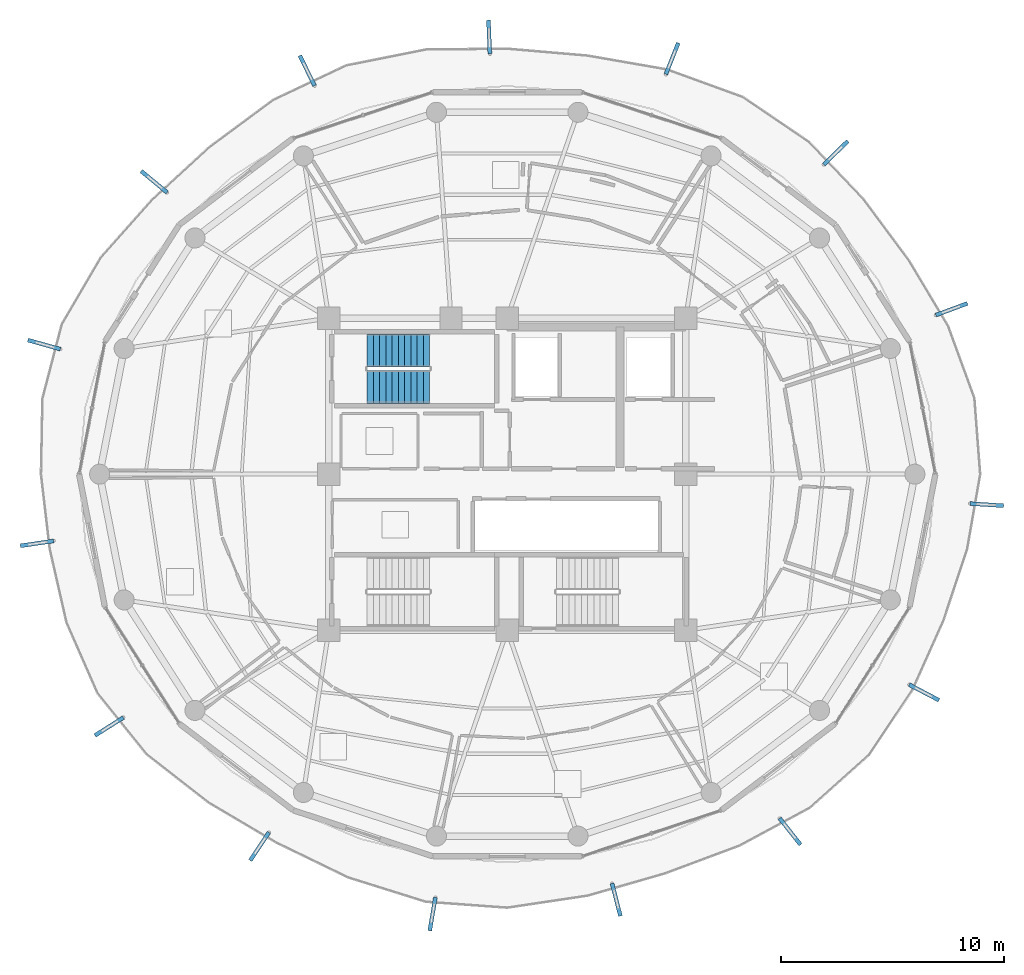
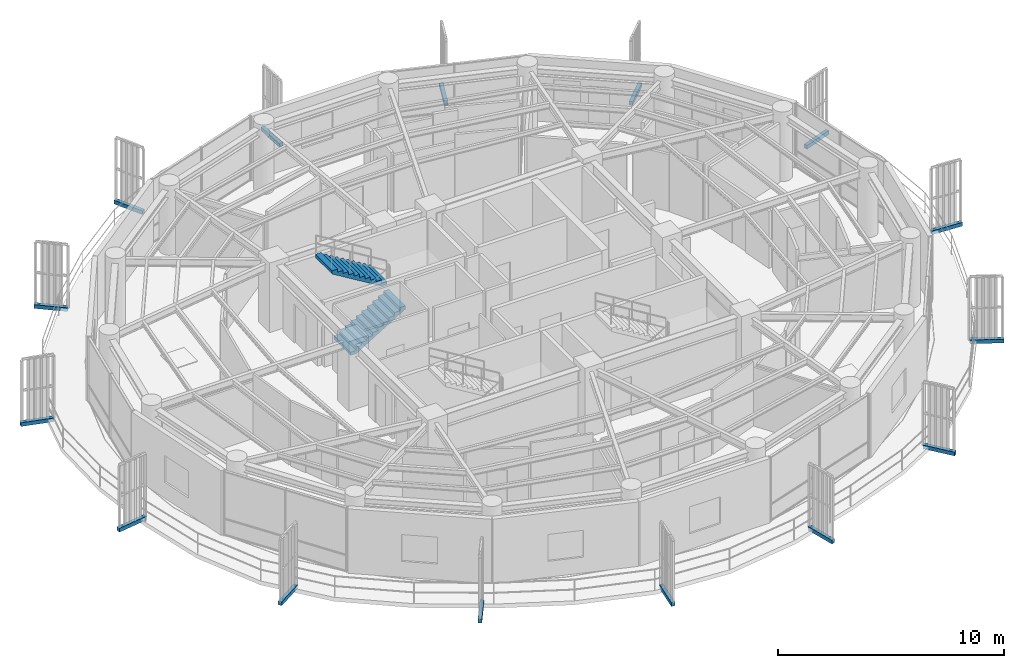
# One storey, part 18 of 22: 15 discrete accessories, 2 stair flights, 1 element without a shape of its own.
"""IFC4 building model written with IfcOpenShell, lengths in metres."""

from ifc_helpers import new_model, si_unit, direction, frame, origin, origin_2d, place, context, subcontext, project, spatial, polyline, rectangle, outline, extrude, source, transform, mapped, material, type_object, element, aggregate, save


model = new_model("IFC4")

# Units and contexts
model_context = context("Model", 3, precision=1e-05, world=origin(), true_north=direction((0.0, 1.0)))
body_context = subcontext(model_context, "Body", "Model", "MODEL_VIEW")
ifc_project = project(units=[si_unit("LENGTHUNIT", "METRE"), si_unit("AREAUNIT", "SQUARE_METRE"), si_unit("VOLUMEUNIT", "CUBIC_METRE"), si_unit("PLANEANGLEUNIT", "RADIAN"), si_unit("MASSUNIT", "GRAM", prefix="KILO")], contexts=[model_context])

# Site, building, storey
site_placement = place(None, origin())
site = spatial("IfcSite", under=ifc_project, at=site_placement, CompositionType="ELEMENT")
building_placement = place(site_placement, origin())
building = spatial("IfcBuilding", under=site, at=building_placement, Name="Kelanora Arch Commons", CompositionType="ELEMENT")
storey_placement = place(building_placement, frame((0.0, 0.0, 263.699951171875)))
storey = spatial("IfcBuildingStorey", under=building, at=storey_placement, Name="L67", CompositionType="ELEMENT", Elevation=263.699951171875)

# Stair, stair flights
ifc_material_1 = material(Name="Concrete C40/50", Category="concrete")
stair_type = type_object("IfcStairType", Name="STR-DL-375", PredefinedType="HALF_TURN_STAIR", material=ifc_material_1)
stair_placement = place(storey_placement, origin())
stair = element("IfcStair", 1, at=stair_placement, inside=storey, type_object=stair_type, Name="L67 ST-T1", PredefinedType="HALF_TURN_STAIR")
stair_flight_type = type_object("IfcStairFlightType", Name="FLT-DL-375", PredefinedType="STRAIGHT", material=ifc_material_1)
stair_flight_1_placement = place(storey_placement, frame((67.719970703125, 61.919921875, 0.0), z_axis=(0.0, 0.0, 1.0), x_axis=(1.0, 0.0, 0.0)))
stair_flight_1 = element("IfcStairFlight", 2, at=stair_flight_1_placement, type_object=stair_flight_type, Name="ST-T1 flight 1", NumberOfRisers=11, NumberOfTreads=10, PredefinedType="STRAIGHT", RiserHeight=0.170454545, TreadLength=0.28, context=body_context, shape_type="SweptSolid", body=[
    extrude(outline(polyline([(0.0, 0.0), (0.0, 0.17041015625), (0.280029296875, 0.17041015625), (0.280029296875, 0.3408203125), (0.56005859375, 0.3408203125), (0.56005859375, 0.511474609375), (0.840087890625, 0.511474609375), (0.840087890625, 0.681884765625), (1.1201171875, 0.681884765625), (1.1201171875, 0.852294921875), (1.39990234375, 0.852294921875), (1.39990234375, 1.022705078125), (1.679931640625, 1.022705078125), (1.679931640625, 1.193115234375), (1.9599609375, 1.193115234375), (1.9599609375, 1.363525390625), (2.239990234375, 1.363525390625), (2.239990234375, 1.5341796875), (2.52001953125, 1.5341796875), (2.52001953125, 1.70458984375), (2.800048828125, 1.70458984375), (2.800048828125, 1.875), (2.800048828125, 1.529052734375), (0.288330078125, 0.0), (0.0, 0.0)])), frame((0.0, 0.739990234375, 0.0), z_axis=(0.0, -1.0, 0.0), x_axis=(1.0, 0.0, 0.0)), (0.0, 0.0, 1.0), 1.47998046875),
])
stair_flight_2_placement = place(storey_placement, frame((70.52001953125, 63.550048828125, 1.875), z_axis=(0.0, 0.0, 1.0), x_axis=(-1.0, 0.0, 0.0)))
stair_flight_2 = element("IfcStairFlight", 3, at=stair_flight_2_placement, type_object=stair_flight_type, Name="ST-T1 flight 2", NumberOfRisers=11, NumberOfTreads=10, PredefinedType="STRAIGHT", RiserHeight=0.170454545, TreadLength=0.28, context=body_context, shape_type="SweptSolid", body=[
    extrude(outline(polyline([(0.0, 0.0), (0.0, 0.17041015625), (0.280029296875, 0.17041015625), (0.280029296875, 0.3408203125), (0.56005859375, 0.3408203125), (0.56005859375, 0.511474609375), (0.840087890625, 0.511474609375), (0.840087890625, 0.681884765625), (1.1201171875, 0.681884765625), (1.1201171875, 0.852294921875), (1.39990234375, 0.852294921875), (1.39990234375, 1.022705078125), (1.679931640625, 1.022705078125), (1.679931640625, 1.193115234375), (1.9599609375, 1.193115234375), (1.9599609375, 1.363525390625), (2.239990234375, 1.363525390625), (2.239990234375, 1.5341796875), (2.52001953125, 1.5341796875), (2.52001953125, 1.70458984375), (2.800048828125, 1.70458984375), (2.800048828125, 1.875), (2.800048828125, 1.529052734375), (0.288330078125, 0.0), (0.0, 0.0)])), frame((0.0, 0.739990234375, 0.0), z_axis=(0.0, -1.0, 0.0), x_axis=(1.0, 0.0, 0.0)), (0.0, 0.0, 1.0), 1.47998046875),
])
aggregate(stair, [stair_flight_1, stair_flight_2])

# Discrete accessories
ifc_material_2 = material(Name="Stainless steel 316 marine fin bracket", Category="steel")
discrete_accessory_type = type_object("IfcDiscreteAccessoryType", Name="ACC-FIN-BRK", PredefinedType="BRACKET", material=ifc_material_2)
shared_shape = source(origin(), body_context, "Body", "SweptSolid", [
    extrude(rectangle(XDim=1.506591796875, YDim=0.179931640625, at=origin_2d()), origin(), (0.0, 0.0, 1.0), 0.199951171875),
])
for number, where, z_axis, x_axis, name in (
    (4, (92.693115234375, 48.213623046875, -0.16015625), (0.0, 0.0, 1.0), (0.885960876527, -0.4637599867, 0.0), "Sweeping Fin Cantilever Spine Bracket L67-00"),
    (5, (95.503662109375, 56.634765625, -0.16015625), (0.0, 0.0, 1.0), (0.997993714583, -0.063313076471, 0.0), "Sweeping Fin Cantilever Spine Bracket L67-01"),
    (6, (93.92626953125, 65.3974609375, -0.16015625), (0.0, 0.0, 1.0), (0.9374643729, 0.348081239861, 0.0), "Sweeping Fin Cantilever Spine Bracket L67-02"),
    (7, (88.7333984375, 72.411376953125, -0.16015625), (0.0, 0.0, 1.0), (0.714838924546, 0.699289147602, 0.0), "Sweeping Fin Cantilever Spine Bracket L67-03"),
    (8, (81.390625, 76.635498046875, -0.16015625), (0.0, 0.0, 1.0), (0.36861133203, 0.92958360888, 0.0), "Sweeping Fin Cantilever Spine Bracket L67-04"),
    (9, (73.189697265625, 77.60595703125, -0.16015625), (0.0, 0.0, 1.0), (-0.041352508522, 0.999144619181, 0.0), "Sweeping Fin Cantilever Spine Bracket L67-05"),
    (10, (65.030517578125, 76.09521484375, -0.16015625), (0.0, 0.0, 1.0), (-0.444166124676, 0.895944447882, 0.0), "Sweeping Fin Cantilever Spine Bracket L67-06"),
    (11, (58.167724609375, 71.113037109375, -0.16015625), (0.0, 0.0, 1.0), (-0.77017938275, 0.637827342144, 0.0), "Sweeping Fin Cantilever Spine Bracket L67-07"),
    (12, (53.23486328125, 63.810546875, -0.16015625), (0.0, 0.0, 1.0), (-0.963021628687, 0.26942409447, 0.0), "Sweeping Fin Cantilever Spine Bracket L67-08"),
    (13, (52.91748046875, 54.899169921875, -0.16015625), (0.0, 0.0, 1.0), (-0.989348686247, -0.145565026779, 0.0), "Sweeping Fin Cantilever Spine Bracket L67-09"),
    (14, (56.14990234375, 46.686279296875, -0.16015625), (0.0, 0.0, 1.0), (-0.844608368004, -0.535384632481, 0.0), "Sweeping Fin Cantilever Spine Bracket L67-10"),
    (15, (62.897216796875, 41.309814453125, -0.16015625), (0.0, 0.0, 1.0), (-0.553827589908, -0.832631371411, 0.0), "Sweeping Fin Cantilever Spine Bracket L67-11"),
    (16, (70.652587890625, 38.279052734375, -0.16015625), (0.0, 0.0, 1.0), (-0.16728499015, -0.985908582005, 0.0), "Sweeping Fin Cantilever Spine Bracket L67-12"),
    (17, (78.88720703125, 38.92041015625, -0.16015625), (0.0, 0.0, 1.0), (0.248182704141, -0.968713242072, 0.0), "Sweeping Fin Cantilever Spine Bracket L67-13"),
    (18, (86.6845703125, 41.97705078125, -0.16015625), (0.0, 0.0, 1.0), (0.620737354217, -0.784018582101, 0.0), "Sweeping Fin Cantilever Spine Bracket L67-14"),
):
    element("IfcDiscreteAccessory", number, at=place(storey_placement, frame(where, z_axis=z_axis, x_axis=x_axis)), inside=storey, type_object=discrete_accessory_type, Name=name, PredefinedType="BRACKET", context=body_context, shape_type="MappedRepresentation", body=[
        mapped(shared_shape, transform((0.0, 0.0, 0.0), scale=1.0)),
    ])

save(model, "model.ifc")
